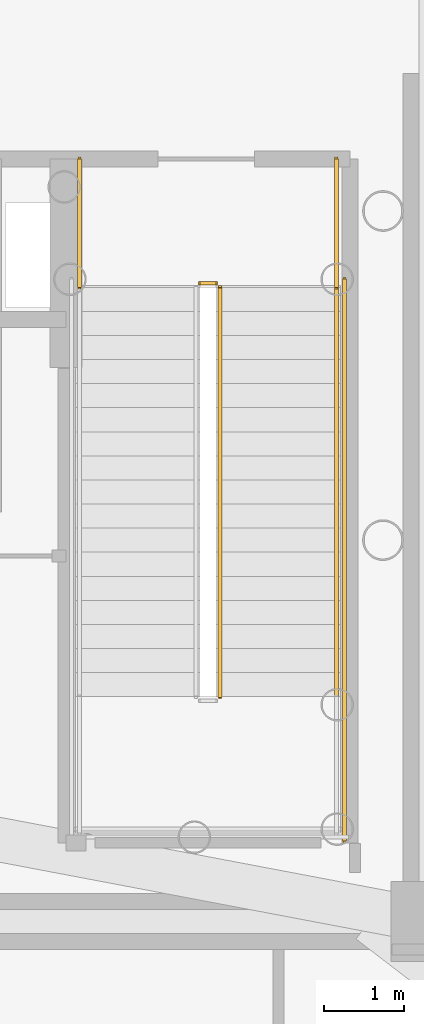
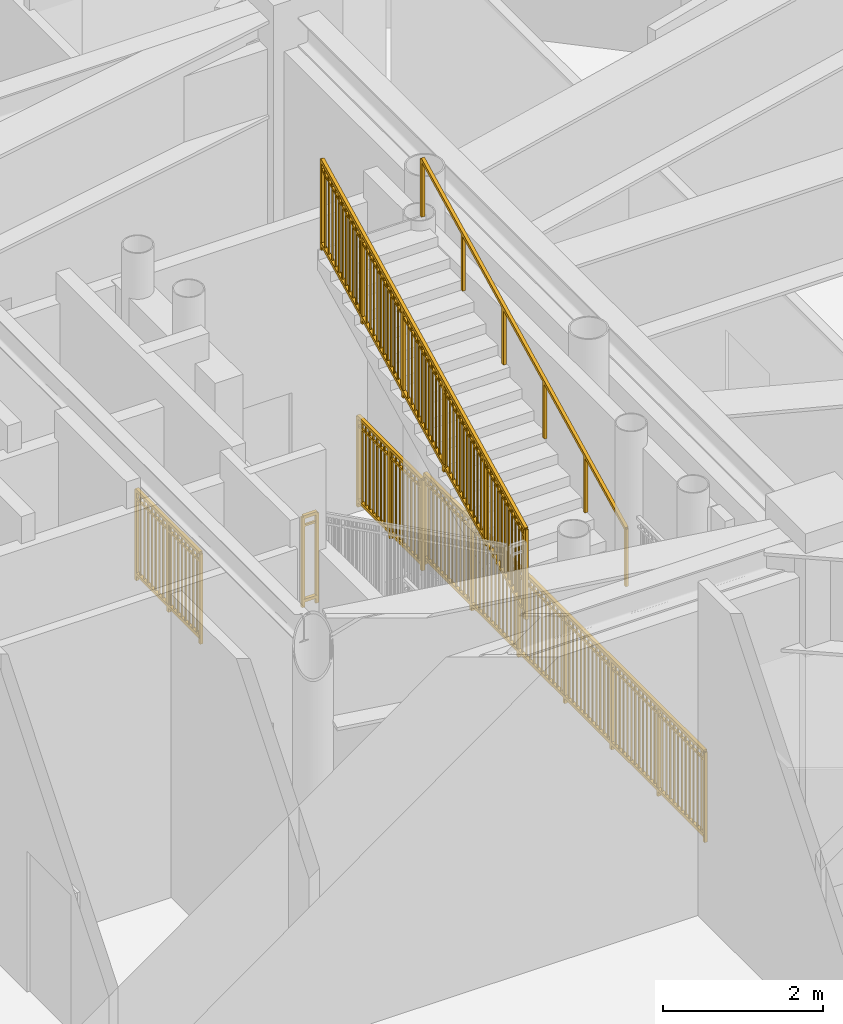
# One storey, part 13 of 14: 6 railings.
"""IFC4 building model written with IfcOpenShell, lengths in metres."""

from ifc_helpers import new_model, si_unit, direction, frame, origin, origin_2d, place, context, subcontext, project, spatial, rectangle, extrude, source, transform, mapped, material, type_object, element, save


model = new_model("IFC4")

# Units and contexts
model_context = context("Model", 3, precision=1e-05, world=origin(), true_north=direction((0.0, 1.0)))
body_context = subcontext(model_context, "Body", "Model", "MODEL_VIEW")
ifc_project = project(units=[si_unit("LENGTHUNIT", "METRE"), si_unit("AREAUNIT", "SQUARE_METRE"), si_unit("VOLUMEUNIT", "CUBIC_METRE"), si_unit("PLANEANGLEUNIT", "RADIAN"), si_unit("MASSUNIT", "GRAM", prefix="KILO")], contexts=[model_context])

# Site, building, storey
site_placement = place(None, origin())
site = spatial("IfcSite", under=ifc_project, at=site_placement, CompositionType="ELEMENT")
building_placement = place(site_placement, origin())
building = spatial("IfcBuilding", under=site, at=building_placement, Name="Linh Dai School and Residence Tower", CompositionType="ELEMENT")
storey_placement = place(building_placement, frame((0.0, 0.0, 262.800048828125)))
storey = spatial("IfcBuildingStorey", under=building, at=storey_placement, Name="L65", CompositionType="ELEMENT", Elevation=262.800048828125)

# Railings
ifc_material_1 = material(Name="Structural Steel S355JR", Category="steel")
railing_type_1 = type_object("IfcRailingType", Name="RL-ST-GUARD-1400", PredefinedType="GUARDRAIL", material=ifc_material_1)
shared_shape_1 = source(origin(), body_context, "Body", "SweptSolid", [
    extrude(rectangle(XDim=0.048095703125, YDim=0.048095703125, at=origin_2d()), frame((0.0, 0.0, 1.3759765625), z_axis=(0.0, 0.894427191, 0.4472135955), x_axis=(-1.0, 0.0, 0.0)), (0.0, 0.0, 1.0), 5.7021484375),
    extrude(rectangle(XDim=0.048095703125, YDim=0.048095703125, at=origin_2d()), frame((0.0, 0.0, 0.10009765625), z_axis=(0.0, 0.894427191, 0.4472135955), x_axis=(-1.0, 0.0, 0.0)), (0.0, 0.0, 1.0), 5.7021484375),
    extrude(rectangle(XDim=0.030029296875, YDim=0.030029296875, at=origin_2d()), frame((0.0, 0.0, 1.239990234375), z_axis=(0.0, 0.894427191, 0.4472135955), x_axis=(-1.0, 0.0, 0.0)), (0.0, 0.0, 1.0), 5.7021484375),
    extrude(rectangle(XDim=0.02001953125, YDim=0.02001953125, at=origin_2d()), frame((0.0, 0.08642578125, 0.143310546875)), (0.0, 0.0, 1.0), 1.251708984375),
    extrude(rectangle(XDim=0.02001953125, YDim=0.02001953125, at=origin_2d()), frame((0.0, 0.1728515625, 0.1865234375)), (0.0, 0.0, 1.0), 1.251708984375),
    extrude(rectangle(XDim=0.02001953125, YDim=0.02001953125, at=origin_2d()), frame((0.0, 0.25927734375, 0.229736328125)), (0.0, 0.0, 1.0), 1.251708984375),
    extrude(rectangle(XDim=0.02001953125, YDim=0.02001953125, at=origin_2d()), frame((0.0, 0.345703125, 0.27294921875)), (0.0, 0.0, 1.0), 1.251708984375),
    extrude(rectangle(XDim=0.02001953125, YDim=0.02001953125, at=origin_2d()), frame((0.0, 0.43212890625, 0.316162109375)), (0.0, 0.0, 1.0), 1.251708984375),
    extrude(rectangle(XDim=0.02001953125, YDim=0.02001953125, at=origin_2d()), frame((0.0, 0.5185546875, 0.359375)), (0.0, 0.0, 1.0), 1.251708984375),
    extrude(rectangle(XDim=0.02001953125, YDim=0.02001953125, at=origin_2d()), frame((0.0, 0.60498046875, 0.402587890625)), (0.0, 0.0, 1.0), 1.251708984375),
    extrude(rectangle(XDim=0.02001953125, YDim=0.02001953125, at=origin_2d()), frame((0.0, 0.691650390625, 0.44580078125)), (0.0, 0.0, 1.0), 1.251708984375),
    extrude(rectangle(XDim=0.02001953125, YDim=0.02001953125, at=origin_2d()), frame((0.0, 0.778076171875, 0.489013671875)), (0.0, 0.0, 1.0), 1.251708984375),
    extrude(rectangle(XDim=0.02001953125, YDim=0.02001953125, at=origin_2d()), frame((0.0, 0.864501953125, 0.5322265625)), (0.0, 0.0, 1.0), 1.251708984375),
    extrude(rectangle(XDim=0.02001953125, YDim=0.02001953125, at=origin_2d()), frame((0.0, 0.950927734375, 0.575439453125)), (0.0, 0.0, 1.0), 1.251708984375),
    extrude(rectangle(XDim=0.02001953125, YDim=0.02001953125, at=origin_2d()), frame((0.0, 1.123779296875, 0.661865234375)), (0.0, 0.0, 1.0), 1.251708984375),
    extrude(rectangle(XDim=0.02001953125, YDim=0.02001953125, at=origin_2d()), frame((0.0, 1.210205078125, 0.705078125)), (0.0, 0.0, 1.0), 1.251708984375),
    extrude(rectangle(XDim=0.02001953125, YDim=0.02001953125, at=origin_2d()), frame((0.0, 1.296630859375, 0.74853515625)), (0.0, 0.0, 1.0), 1.251708984375),
    extrude(rectangle(XDim=0.02001953125, YDim=0.02001953125, at=origin_2d()), frame((0.0, 1.383056640625, 0.791748046875)), (0.0, 0.0, 1.0), 1.251708984375),
    extrude(rectangle(XDim=0.02001953125, YDim=0.02001953125, at=origin_2d()), frame((0.0, 1.469482421875, 0.8349609375)), (0.0, 0.0, 1.0), 1.251708984375),
    extrude(rectangle(XDim=0.02001953125, YDim=0.02001953125, at=origin_2d()), frame((0.0, 1.555908203125, 0.878173828125)), (0.0, 0.0, 1.0), 1.251708984375),
    extrude(rectangle(XDim=0.02001953125, YDim=0.02001953125, at=origin_2d()), frame((0.0, 1.642333984375, 0.92138671875)), (0.0, 0.0, 1.0), 1.251708984375),
    extrude(rectangle(XDim=0.02001953125, YDim=0.02001953125, at=origin_2d()), frame((0.0, 1.728759765625, 0.964599609375)), (0.0, 0.0, 1.0), 1.251708984375),
    extrude(rectangle(XDim=0.02001953125, YDim=0.02001953125, at=origin_2d()), frame((0.0, 1.815185546875, 1.0078125)), (0.0, 0.0, 1.0), 1.251708984375),
    extrude(rectangle(XDim=0.02001953125, YDim=0.02001953125, at=origin_2d()), frame((0.0, 1.901611328125, 1.051025390625)), (0.0, 0.0, 1.0), 1.251708984375),
    extrude(rectangle(XDim=0.02001953125, YDim=0.02001953125, at=origin_2d()), frame((0.0, 1.98828125, 1.09423828125)), (0.0, 0.0, 1.0), 1.251708984375),
    extrude(rectangle(XDim=0.02001953125, YDim=0.02001953125, at=origin_2d()), frame((0.0, 2.1611328125, 1.1806640625)), (0.0, 0.0, 1.0), 1.251708984375),
    extrude(rectangle(XDim=0.02001953125, YDim=0.02001953125, at=origin_2d()), frame((0.0, 2.24755859375, 1.223876953125)), (0.0, 0.0, 1.0), 1.251708984375),
    extrude(rectangle(XDim=0.02001953125, YDim=0.02001953125, at=origin_2d()), frame((0.0, 2.333984375, 1.26708984375)), (0.0, 0.0, 1.0), 1.251708984375),
    extrude(rectangle(XDim=0.02001953125, YDim=0.02001953125, at=origin_2d()), frame((0.0, 2.42041015625, 1.310302734375)), (0.0, 0.0, 1.0), 1.251708984375),
    extrude(rectangle(XDim=0.02001953125, YDim=0.02001953125, at=origin_2d()), frame((0.0, 2.5068359375, 1.353515625)), (0.0, 0.0, 1.0), 1.251708984375),
    extrude(rectangle(XDim=0.02001953125, YDim=0.02001953125, at=origin_2d()), frame((0.0, 2.59326171875, 1.396728515625)), (0.0, 0.0, 1.0), 1.251708984375),
    extrude(rectangle(XDim=0.02001953125, YDim=0.02001953125, at=origin_2d()), frame((0.0, 2.6796875, 1.43994140625)), (0.0, 0.0, 1.0), 1.251708984375),
    extrude(rectangle(XDim=0.02001953125, YDim=0.02001953125, at=origin_2d()), frame((0.0, 2.76611328125, 1.483154296875)), (0.0, 0.0, 1.0), 1.251708984375),
    extrude(rectangle(XDim=0.02001953125, YDim=0.02001953125, at=origin_2d()), frame((0.0, 2.8525390625, 1.5263671875)), (0.0, 0.0, 1.0), 1.251708984375),
    extrude(rectangle(XDim=0.02001953125, YDim=0.02001953125, at=origin_2d()), frame((0.0, 2.93896484375, 1.569580078125)), (0.0, 0.0, 1.0), 1.251708984375),
    extrude(rectangle(XDim=0.02001953125, YDim=0.02001953125, at=origin_2d()), frame((0.0, 3.11181640625, 1.656005859375)), (0.0, 0.0, 1.0), 1.251708984375),
    extrude(rectangle(XDim=0.02001953125, YDim=0.02001953125, at=origin_2d()), frame((0.0, 3.198486328125, 1.69921875)), (0.0, 0.0, 1.0), 1.251708984375),
    extrude(rectangle(XDim=0.02001953125, YDim=0.02001953125, at=origin_2d()), frame((0.0, 3.284912109375, 1.742431640625)), (0.0, 0.0, 1.0), 1.251708984375),
    extrude(rectangle(XDim=0.02001953125, YDim=0.02001953125, at=origin_2d()), frame((0.0, 3.371337890625, 1.78564453125)), (0.0, 0.0, 1.0), 1.251708984375),
    extrude(rectangle(XDim=0.02001953125, YDim=0.02001953125, at=origin_2d()), frame((0.0, 3.457763671875, 1.828857421875)), (0.0, 0.0, 1.0), 1.251708984375),
    extrude(rectangle(XDim=0.02001953125, YDim=0.02001953125, at=origin_2d()), frame((0.0, 3.544189453125, 1.8720703125)), (0.0, 0.0, 1.0), 1.251708984375),
    extrude(rectangle(XDim=0.02001953125, YDim=0.02001953125, at=origin_2d()), frame((0.0, 3.630615234375, 1.915283203125)), (0.0, 0.0, 1.0), 1.251708984375),
    extrude(rectangle(XDim=0.02001953125, YDim=0.02001953125, at=origin_2d()), frame((0.0, 3.717041015625, 1.95849609375)), (0.0, 0.0, 1.0), 1.251708984375),
    extrude(rectangle(XDim=0.02001953125, YDim=0.02001953125, at=origin_2d()), frame((0.0, 3.803466796875, 2.001708984375)), (0.0, 0.0, 1.0), 1.251708984375),
    extrude(rectangle(XDim=0.02001953125, YDim=0.02001953125, at=origin_2d()), frame((0.0, 3.889892578125, 2.045166015625)), (0.0, 0.0, 1.0), 1.251708984375),
    extrude(rectangle(XDim=0.02001953125, YDim=0.02001953125, at=origin_2d()), frame((0.0, 3.976318359375, 2.08837890625)), (0.0, 0.0, 1.0), 1.251708984375),
    extrude(rectangle(XDim=0.02001953125, YDim=0.02001953125, at=origin_2d()), frame((0.0, 4.149169921875, 2.1748046875)), (0.0, 0.0, 1.0), 1.251708984375),
    extrude(rectangle(XDim=0.02001953125, YDim=0.02001953125, at=origin_2d()), frame((0.0, 4.235595703125, 2.218017578125)), (0.0, 0.0, 1.0), 1.251708984375),
    extrude(rectangle(XDim=0.02001953125, YDim=0.02001953125, at=origin_2d()), frame((0.0, 4.322021484375, 2.26123046875)), (0.0, 0.0, 1.0), 1.251708984375),
    extrude(rectangle(XDim=0.02001953125, YDim=0.02001953125, at=origin_2d()), frame((0.0, 4.408447265625, 2.304443359375)), (0.0, 0.0, 1.0), 1.251708984375),
    extrude(rectangle(XDim=0.02001953125, YDim=0.02001953125, at=origin_2d()), frame((0.0, 4.4951171875, 2.34765625)), (0.0, 0.0, 1.0), 1.251708984375),
    extrude(rectangle(XDim=0.02001953125, YDim=0.02001953125, at=origin_2d()), frame((0.0, 4.58154296875, 2.390869140625)), (0.0, 0.0, 1.0), 1.251708984375),
    extrude(rectangle(XDim=0.02001953125, YDim=0.02001953125, at=origin_2d()), frame((0.0, 4.66796875, 2.43408203125)), (0.0, 0.0, 1.0), 1.251708984375),
    extrude(rectangle(XDim=0.02001953125, YDim=0.02001953125, at=origin_2d()), frame((0.0, 4.75439453125, 2.477294921875)), (0.0, 0.0, 1.0), 1.251708984375),
    extrude(rectangle(XDim=0.02001953125, YDim=0.02001953125, at=origin_2d()), frame((0.0, 4.8408203125, 2.5205078125)), (0.0, 0.0, 1.0), 1.251708984375),
    extrude(rectangle(XDim=0.02001953125, YDim=0.02001953125, at=origin_2d()), frame((0.0, 4.92724609375, 2.563720703125)), (0.0, 0.0, 1.0), 1.251708984375),
    extrude(rectangle(XDim=0.02001953125, YDim=0.02001953125, at=origin_2d()), frame((0.0, 5.013671875, 2.60693359375)), (0.0, 0.0, 1.0), 1.251708984375),
    extrude(rectangle(XDim=0.0419921875, YDim=0.0419921875, at=origin_2d()), origin(), (0.0, 0.0, 1.0), 1.3759765625),
    extrude(rectangle(XDim=0.0419921875, YDim=0.0419921875, at=origin_2d()), frame((0.0, 1.02001953125, 0.510009765625)), (0.0, 0.0, 1.0), 1.3759765625),
    extrude(rectangle(XDim=0.0419921875, YDim=0.0419921875, at=origin_2d()), frame((0.0, 2.0400390625, 1.02001953125)), (0.0, 0.0, 1.0), 1.3759765625),
    extrude(rectangle(XDim=0.0419921875, YDim=0.0419921875, at=origin_2d()), frame((0.0, 3.06005859375, 1.530029296875)), (0.0, 0.0, 1.0), 1.3759765625),
    extrude(rectangle(XDim=0.0419921875, YDim=0.0419921875, at=origin_2d()), frame((0.0, 4.080078125, 2.0400390625)), (0.0, 0.0, 1.0), 1.3759765625),
    extrude(rectangle(XDim=0.0419921875, YDim=0.0419921875, at=origin_2d()), frame((0.0, 5.10009765625, 2.550048828125)), (0.0, 0.0, 1.0), 1.3759765625),
])
railing_1_placement = place(storey_placement, frame((42.820068359375, 23.14990234375, 2.849853515625)))
element("IfcRailing", 1, at=railing_1_placement, inside=storey, type_object=railing_type_1, Name="L65 ST2 stair guard 6", PredefinedType="GUARDRAIL", context=body_context, shape_type="MappedRepresentation", body=[
    mapped(shared_shape_1, transform((0.0, 0.0, 0.0), x_axis=(1.0, 0.0, 0.0), y_axis=(0.0, 1.0, 0.0), z_axis=(0.0, 0.0, 1.0), scale=1.0)),
])
ifc_material_2 = material(Name="Brushed Stainless Steel Handrail", Category="steel")
railing_type_2 = type_object("IfcRailingType", Name="RL-ST-HANDRAIL-900", PredefinedType="HANDRAIL", material=ifc_material_2)
shared_shape_2 = source(origin(), body_context, "Body", "SweptSolid", [
    extrude(rectangle(XDim=0.048095703125, YDim=0.048095703125, at=origin_2d()), frame((0.0, 0.0, 0.8759765625), z_axis=(0.0, 0.894427191, 0.4472135955), x_axis=(-1.0, 0.0, 0.0)), (0.0, 0.0, 1.0), 5.7021484375),
    extrude(rectangle(XDim=0.0419921875, YDim=0.0419921875, at=origin_2d()), origin(), (0.0, 0.0, 1.0), 0.8759765625),
    extrude(rectangle(XDim=0.0419921875, YDim=0.0419921875, at=origin_2d()), frame((0.0, 1.02001953125, 0.510009765625)), (0.0, 0.0, 1.0), 0.8759765625),
    extrude(rectangle(XDim=0.0419921875, YDim=0.0419921875, at=origin_2d()), frame((0.0, 2.0400390625, 1.02001953125)), (0.0, 0.0, 1.0), 0.8759765625),
    extrude(rectangle(XDim=0.0419921875, YDim=0.0419921875, at=origin_2d()), frame((0.0, 3.06005859375, 1.530029296875)), (0.0, 0.0, 1.0), 0.8759765625),
    extrude(rectangle(XDim=0.0419921875, YDim=0.0419921875, at=origin_2d()), frame((0.0, 4.080078125, 2.0400390625)), (0.0, 0.0, 1.0), 0.8759765625),
    extrude(rectangle(XDim=0.0419921875, YDim=0.0419921875, at=origin_2d()), frame((0.0, 5.10009765625, 2.550048828125)), (0.0, 0.0, 1.0), 0.8759765625),
])
railing_2_placement = place(storey_placement, frame((44.27001953125, 23.14990234375, 2.849853515625)))
element("IfcRailing", 2, at=railing_2_placement, inside=storey, type_object=railing_type_2, Name="L65 ST2 stair handrail 2", PredefinedType="HANDRAIL", context=body_context, shape_type="MappedRepresentation", body=[
    mapped(shared_shape_2, transform((0.0, 0.0, 0.0), x_axis=(1.0, 0.0, 0.0), y_axis=(0.0, 1.0, 0.0), z_axis=(0.0, 0.0, 1.0), scale=1.0)),
])
shared_shape_3 = source(origin(), body_context, "Body", "SweptSolid", [
    extrude(rectangle(XDim=0.048095703125, YDim=0.048095703125, at=origin_2d()), frame((0.0, 0.0, 1.3759765625), z_axis=(1.0, 0.0, 0.0), x_axis=(0.0, 1.0, 0.0)), (0.0, 0.0, 1.0), 0.199951171875),
    extrude(rectangle(XDim=0.048095703125, YDim=0.048095703125, at=origin_2d()), frame((0.0, 0.0, 0.10009765625), z_axis=(1.0, 0.0, 0.0), x_axis=(0.0, 1.0, 0.0)), (0.0, 0.0, 1.0), 0.199951171875),
    extrude(rectangle(XDim=0.030029296875, YDim=0.030029296875, at=origin_2d()), frame((0.0, 0.0, 1.239990234375), z_axis=(1.0, 0.0, 0.0), x_axis=(0.0, 1.0, 0.0)), (0.0, 0.0, 1.0), 0.199951171875),
    extrude(rectangle(XDim=0.0419921875, YDim=0.0419921875, at=origin_2d()), origin(), (0.0, 0.0, 1.0), 1.3759765625),
    extrude(rectangle(XDim=0.0419921875, YDim=0.0419921875, at=origin_2d()), frame((0.199951171875, 0.0, 0.0)), (0.0, 0.0, 1.0), 1.3759765625),
])
railing_3_placement = place(storey_placement, frame((42.570068359375, 28.300048828125, 0.0)))
element("IfcRailing", 3, at=railing_3_placement, inside=storey, type_object=railing_type_1, Name="L65 ST2 stair guard 7", PredefinedType="GUARDRAIL", context=body_context, shape_type="MappedRepresentation", body=[
    mapped(shared_shape_3, transform((0.0, 0.0, 0.0), x_axis=(1.0, 0.0, 0.0), y_axis=(0.0, 1.0, 0.0), z_axis=(0.0, 0.0, 1.0), scale=1.0)),
])
shared_shape_4 = source(origin(), body_context, "Body", "SweptSolid", [
    extrude(rectangle(XDim=0.048095703125, YDim=0.048095703125, at=origin_2d()), frame((0.0, 0.0, 1.3759765625), z_axis=(0.0, -1.0, 0.0), x_axis=(1.0, 0.0, 0.0)), (0.0, 0.0, 1.0), 1.60009765625),
    extrude(rectangle(XDim=0.048095703125, YDim=0.048095703125, at=origin_2d()), frame((0.0, 0.0, 0.10009765625), z_axis=(0.0, -1.0, 0.0), x_axis=(1.0, 0.0, 0.0)), (0.0, 0.0, 1.0), 1.60009765625),
    extrude(rectangle(XDim=0.030029296875, YDim=0.030029296875, at=origin_2d()), frame((0.0, 0.0, 1.239990234375), z_axis=(0.0, -1.0, 0.0), x_axis=(1.0, 0.0, 0.0)), (0.0, 0.0, 1.0), 1.60009765625),
    extrude(rectangle(XDim=0.02001953125, YDim=0.02001953125, at=origin_2d()), frame((0.0, -0.09423828125, 0.10009765625)), (0.0, 0.0, 1.0), 1.251708984375),
    extrude(rectangle(XDim=0.02001953125, YDim=0.02001953125, at=origin_2d()), frame((0.0, -0.188232421875, 0.10009765625)), (0.0, 0.0, 1.0), 1.251708984375),
    extrude(rectangle(XDim=0.02001953125, YDim=0.02001953125, at=origin_2d()), frame((0.0, -0.282470703125, 0.10009765625)), (0.0, 0.0, 1.0), 1.251708984375),
    extrude(rectangle(XDim=0.02001953125, YDim=0.02001953125, at=origin_2d()), frame((0.0, -0.37646484375, 0.10009765625)), (0.0, 0.0, 1.0), 1.251708984375),
    extrude(rectangle(XDim=0.02001953125, YDim=0.02001953125, at=origin_2d()), frame((0.0, -0.470703125, 0.10009765625)), (0.0, 0.0, 1.0), 1.251708984375),
    extrude(rectangle(XDim=0.02001953125, YDim=0.02001953125, at=origin_2d()), frame((0.0, -0.564697265625, 0.10009765625)), (0.0, 0.0, 1.0), 1.251708984375),
    extrude(rectangle(XDim=0.02001953125, YDim=0.02001953125, at=origin_2d()), frame((0.0, -0.658935546875, 0.10009765625)), (0.0, 0.0, 1.0), 1.251708984375),
    extrude(rectangle(XDim=0.02001953125, YDim=0.02001953125, at=origin_2d()), frame((0.0, -0.7529296875, 0.10009765625)), (0.0, 0.0, 1.0), 1.251708984375),
    extrude(rectangle(XDim=0.02001953125, YDim=0.02001953125, at=origin_2d()), frame((0.0, -0.84716796875, 0.10009765625)), (0.0, 0.0, 1.0), 1.251708984375),
    extrude(rectangle(XDim=0.02001953125, YDim=0.02001953125, at=origin_2d()), frame((0.0, -0.941162109375, 0.10009765625)), (0.0, 0.0, 1.0), 1.251708984375),
    extrude(rectangle(XDim=0.02001953125, YDim=0.02001953125, at=origin_2d()), frame((0.0, -1.035400390625, 0.10009765625)), (0.0, 0.0, 1.0), 1.251708984375),
    extrude(rectangle(XDim=0.02001953125, YDim=0.02001953125, at=origin_2d()), frame((0.0, -1.12939453125, 0.10009765625)), (0.0, 0.0, 1.0), 1.251708984375),
    extrude(rectangle(XDim=0.02001953125, YDim=0.02001953125, at=origin_2d()), frame((0.0, -1.2236328125, 0.10009765625)), (0.0, 0.0, 1.0), 1.251708984375),
    extrude(rectangle(XDim=0.02001953125, YDim=0.02001953125, at=origin_2d()), frame((0.0, -1.317626953125, 0.10009765625)), (0.0, 0.0, 1.0), 1.251708984375),
    extrude(rectangle(XDim=0.02001953125, YDim=0.02001953125, at=origin_2d()), frame((0.0, -1.411865234375, 0.10009765625)), (0.0, 0.0, 1.0), 1.251708984375),
    extrude(rectangle(XDim=0.02001953125, YDim=0.02001953125, at=origin_2d()), frame((0.0, -1.505859375, 0.10009765625)), (0.0, 0.0, 1.0), 1.251708984375),
    extrude(rectangle(XDim=0.0419921875, YDim=0.0419921875, at=origin_2d()), origin(), (0.0, 0.0, 1.0), 1.3759765625),
    extrude(rectangle(XDim=0.0419921875, YDim=0.0419921875, at=origin_2d()), frame((0.0, -0.800048828125, 0.0)), (0.0, 0.0, 1.0), 1.3759765625),
    extrude(rectangle(XDim=0.0419921875, YDim=0.0419921875, at=origin_2d()), frame((0.0, -1.60009765625, 0.0)), (0.0, 0.0, 1.0), 1.3759765625),
])
for number, where, name in (
    (4, (41.070068359375, 29.85009765625, 0.0), "L65 ST2 stair guard 8"),
    (5, (44.27001953125, 29.85009765625, 0.0), "L65 ST2 stair guard 9"),
):
    element("IfcRailing", number, at=place(storey_placement, frame(where)), inside=storey, type_object=railing_type_1, Name=name, PredefinedType="GUARDRAIL", context=body_context, shape_type="MappedRepresentation", body=[
        mapped(shared_shape_4, transform((0.0, 0.0, 0.0), x_axis=(1.0, 0.0, 0.0), y_axis=(0.0, 1.0, 0.0), z_axis=(0.0, 0.0, 1.0), scale=1.0)),
    ])
shared_shape_5 = source(origin(), body_context, "Body", "SweptSolid", [
    extrude(rectangle(XDim=0.048095703125, YDim=0.048095703125, at=origin_2d()), frame((0.0, 0.0, 1.3759765625), z_axis=(0.0, -1.0, 0.0), x_axis=(1.0, 0.0, 0.0)), (0.0, 0.0, 1.0), 7.0),
    extrude(rectangle(XDim=0.048095703125, YDim=0.048095703125, at=origin_2d()), frame((0.0, 0.0, 0.10009765625), z_axis=(0.0, -1.0, 0.0), x_axis=(1.0, 0.0, 0.0)), (0.0, 0.0, 1.0), 7.0),
    extrude(rectangle(XDim=0.030029296875, YDim=0.030029296875, at=origin_2d()), frame((0.0, 0.0, 1.239990234375), z_axis=(0.0, -1.0, 0.0), x_axis=(1.0, 0.0, 0.0)), (0.0, 0.0, 1.0), 7.0),
    extrude(rectangle(XDim=0.02001953125, YDim=0.02001953125, at=origin_2d()), frame((0.0, -0.09716796875, 0.10009765625)), (0.0, 0.0, 1.0), 1.251708984375),
    extrude(rectangle(XDim=0.02001953125, YDim=0.02001953125, at=origin_2d()), frame((0.0, -0.1943359375, 0.10009765625)), (0.0, 0.0, 1.0), 1.251708984375),
    extrude(rectangle(XDim=0.02001953125, YDim=0.02001953125, at=origin_2d()), frame((0.0, -0.291748046875, 0.10009765625)), (0.0, 0.0, 1.0), 1.251708984375),
    extrude(rectangle(XDim=0.02001953125, YDim=0.02001953125, at=origin_2d()), frame((0.0, -0.388916015625, 0.10009765625)), (0.0, 0.0, 1.0), 1.251708984375),
    extrude(rectangle(XDim=0.02001953125, YDim=0.02001953125, at=origin_2d()), frame((0.0, -0.486083984375, 0.10009765625)), (0.0, 0.0, 1.0), 1.251708984375),
    extrude(rectangle(XDim=0.02001953125, YDim=0.02001953125, at=origin_2d()), frame((0.0, -0.583251953125, 0.10009765625)), (0.0, 0.0, 1.0), 1.251708984375),
    extrude(rectangle(XDim=0.02001953125, YDim=0.02001953125, at=origin_2d()), frame((0.0, -0.6806640625, 0.10009765625)), (0.0, 0.0, 1.0), 1.251708984375),
    extrude(rectangle(XDim=0.02001953125, YDim=0.02001953125, at=origin_2d()), frame((0.0, -0.77783203125, 0.10009765625)), (0.0, 0.0, 1.0), 1.251708984375),
    extrude(rectangle(XDim=0.02001953125, YDim=0.02001953125, at=origin_2d()), frame((0.0, -0.875, 0.10009765625)), (0.0, 0.0, 1.0), 1.251708984375),
    extrude(rectangle(XDim=0.02001953125, YDim=0.02001953125, at=origin_2d()), frame((0.0, -0.97216796875, 0.10009765625)), (0.0, 0.0, 1.0), 1.251708984375),
    extrude(rectangle(XDim=0.02001953125, YDim=0.02001953125, at=origin_2d()), frame((0.0, -1.0693359375, 0.10009765625)), (0.0, 0.0, 1.0), 1.251708984375),
    extrude(rectangle(XDim=0.02001953125, YDim=0.02001953125, at=origin_2d()), frame((0.0, -1.263916015625, 0.10009765625)), (0.0, 0.0, 1.0), 1.251708984375),
    extrude(rectangle(XDim=0.02001953125, YDim=0.02001953125, at=origin_2d()), frame((0.0, -1.361083984375, 0.10009765625)), (0.0, 0.0, 1.0), 1.251708984375),
    extrude(rectangle(XDim=0.02001953125, YDim=0.02001953125, at=origin_2d()), frame((0.0, -1.458251953125, 0.10009765625)), (0.0, 0.0, 1.0), 1.251708984375),
    extrude(rectangle(XDim=0.02001953125, YDim=0.02001953125, at=origin_2d()), frame((0.0, -1.5556640625, 0.10009765625)), (0.0, 0.0, 1.0), 1.251708984375),
    extrude(rectangle(XDim=0.02001953125, YDim=0.02001953125, at=origin_2d()), frame((0.0, -1.65283203125, 0.10009765625)), (0.0, 0.0, 1.0), 1.251708984375),
    extrude(rectangle(XDim=0.02001953125, YDim=0.02001953125, at=origin_2d()), frame((0.0, -1.75, 0.10009765625)), (0.0, 0.0, 1.0), 1.251708984375),
    extrude(rectangle(XDim=0.02001953125, YDim=0.02001953125, at=origin_2d()), frame((0.0, -1.84716796875, 0.10009765625)), (0.0, 0.0, 1.0), 1.251708984375),
    extrude(rectangle(XDim=0.02001953125, YDim=0.02001953125, at=origin_2d()), frame((0.0, -1.9443359375, 0.10009765625)), (0.0, 0.0, 1.0), 1.251708984375),
    extrude(rectangle(XDim=0.02001953125, YDim=0.02001953125, at=origin_2d()), frame((0.0, -2.041748046875, 0.10009765625)), (0.0, 0.0, 1.0), 1.251708984375),
    extrude(rectangle(XDim=0.02001953125, YDim=0.02001953125, at=origin_2d()), frame((0.0, -2.138916015625, 0.10009765625)), (0.0, 0.0, 1.0), 1.251708984375),
    extrude(rectangle(XDim=0.02001953125, YDim=0.02001953125, at=origin_2d()), frame((0.0, -2.236083984375, 0.10009765625)), (0.0, 0.0, 1.0), 1.251708984375),
    extrude(rectangle(XDim=0.02001953125, YDim=0.02001953125, at=origin_2d()), frame((0.0, -2.4306640625, 0.10009765625)), (0.0, 0.0, 1.0), 1.251708984375),
    extrude(rectangle(XDim=0.02001953125, YDim=0.02001953125, at=origin_2d()), frame((0.0, -2.52783203125, 0.10009765625)), (0.0, 0.0, 1.0), 1.251708984375),
    extrude(rectangle(XDim=0.02001953125, YDim=0.02001953125, at=origin_2d()), frame((0.0, -2.625, 0.10009765625)), (0.0, 0.0, 1.0), 1.251708984375),
    extrude(rectangle(XDim=0.02001953125, YDim=0.02001953125, at=origin_2d()), frame((0.0, -2.72216796875, 0.10009765625)), (0.0, 0.0, 1.0), 1.251708984375),
    extrude(rectangle(XDim=0.02001953125, YDim=0.02001953125, at=origin_2d()), frame((0.0, -2.8193359375, 0.10009765625)), (0.0, 0.0, 1.0), 1.251708984375),
    extrude(rectangle(XDim=0.02001953125, YDim=0.02001953125, at=origin_2d()), frame((0.0, -2.916748046875, 0.10009765625)), (0.0, 0.0, 1.0), 1.251708984375),
    extrude(rectangle(XDim=0.02001953125, YDim=0.02001953125, at=origin_2d()), frame((0.0, -3.013916015625, 0.10009765625)), (0.0, 0.0, 1.0), 1.251708984375),
    extrude(rectangle(XDim=0.02001953125, YDim=0.02001953125, at=origin_2d()), frame((0.0, -3.111083984375, 0.10009765625)), (0.0, 0.0, 1.0), 1.251708984375),
    extrude(rectangle(XDim=0.02001953125, YDim=0.02001953125, at=origin_2d()), frame((0.0, -3.208251953125, 0.10009765625)), (0.0, 0.0, 1.0), 1.251708984375),
    extrude(rectangle(XDim=0.02001953125, YDim=0.02001953125, at=origin_2d()), frame((0.0, -3.3056640625, 0.10009765625)), (0.0, 0.0, 1.0), 1.251708984375),
    extrude(rectangle(XDim=0.02001953125, YDim=0.02001953125, at=origin_2d()), frame((0.0, -3.40283203125, 0.10009765625)), (0.0, 0.0, 1.0), 1.251708984375),
    extrude(rectangle(XDim=0.02001953125, YDim=0.02001953125, at=origin_2d()), frame((0.0, -3.59716796875, 0.10009765625)), (0.0, 0.0, 1.0), 1.251708984375),
    extrude(rectangle(XDim=0.02001953125, YDim=0.02001953125, at=origin_2d()), frame((0.0, -3.6943359375, 0.10009765625)), (0.0, 0.0, 1.0), 1.251708984375),
    extrude(rectangle(XDim=0.02001953125, YDim=0.02001953125, at=origin_2d()), frame((0.0, -3.791748046875, 0.10009765625)), (0.0, 0.0, 1.0), 1.251708984375),
    extrude(rectangle(XDim=0.02001953125, YDim=0.02001953125, at=origin_2d()), frame((0.0, -3.888916015625, 0.10009765625)), (0.0, 0.0, 1.0), 1.251708984375),
    extrude(rectangle(XDim=0.02001953125, YDim=0.02001953125, at=origin_2d()), frame((0.0, -3.986083984375, 0.10009765625)), (0.0, 0.0, 1.0), 1.251708984375),
    extrude(rectangle(XDim=0.02001953125, YDim=0.02001953125, at=origin_2d()), frame((0.0, -4.083251953125, 0.10009765625)), (0.0, 0.0, 1.0), 1.251708984375),
    extrude(rectangle(XDim=0.02001953125, YDim=0.02001953125, at=origin_2d()), frame((0.0, -4.1806640625, 0.10009765625)), (0.0, 0.0, 1.0), 1.251708984375),
    extrude(rectangle(XDim=0.02001953125, YDim=0.02001953125, at=origin_2d()), frame((0.0, -4.27783203125, 0.10009765625)), (0.0, 0.0, 1.0), 1.251708984375),
    extrude(rectangle(XDim=0.02001953125, YDim=0.02001953125, at=origin_2d()), frame((0.0, -4.375, 0.10009765625)), (0.0, 0.0, 1.0), 1.251708984375),
    extrude(rectangle(XDim=0.02001953125, YDim=0.02001953125, at=origin_2d()), frame((0.0, -4.47216796875, 0.10009765625)), (0.0, 0.0, 1.0), 1.251708984375),
    extrude(rectangle(XDim=0.02001953125, YDim=0.02001953125, at=origin_2d()), frame((0.0, -4.5693359375, 0.10009765625)), (0.0, 0.0, 1.0), 1.251708984375),
    extrude(rectangle(XDim=0.02001953125, YDim=0.02001953125, at=origin_2d()), frame((0.0, -4.763916015625, 0.10009765625)), (0.0, 0.0, 1.0), 1.251708984375),
    extrude(rectangle(XDim=0.02001953125, YDim=0.02001953125, at=origin_2d()), frame((0.0, -4.861083984375, 0.10009765625)), (0.0, 0.0, 1.0), 1.251708984375),
    extrude(rectangle(XDim=0.02001953125, YDim=0.02001953125, at=origin_2d()), frame((0.0, -4.958251953125, 0.10009765625)), (0.0, 0.0, 1.0), 1.251708984375),
    extrude(rectangle(XDim=0.02001953125, YDim=0.02001953125, at=origin_2d()), frame((0.0, -5.0556640625, 0.10009765625)), (0.0, 0.0, 1.0), 1.251708984375),
    extrude(rectangle(XDim=0.02001953125, YDim=0.02001953125, at=origin_2d()), frame((0.0, -5.15283203125, 0.10009765625)), (0.0, 0.0, 1.0), 1.251708984375),
    extrude(rectangle(XDim=0.02001953125, YDim=0.02001953125, at=origin_2d()), frame((0.0, -5.25, 0.10009765625)), (0.0, 0.0, 1.0), 1.251708984375),
    extrude(rectangle(XDim=0.02001953125, YDim=0.02001953125, at=origin_2d()), frame((0.0, -5.34716796875, 0.10009765625)), (0.0, 0.0, 1.0), 1.251708984375),
    extrude(rectangle(XDim=0.02001953125, YDim=0.02001953125, at=origin_2d()), frame((0.0, -5.4443359375, 0.10009765625)), (0.0, 0.0, 1.0), 1.251708984375),
    extrude(rectangle(XDim=0.02001953125, YDim=0.02001953125, at=origin_2d()), frame((0.0, -5.541748046875, 0.10009765625)), (0.0, 0.0, 1.0), 1.251708984375),
    extrude(rectangle(XDim=0.02001953125, YDim=0.02001953125, at=origin_2d()), frame((0.0, -5.638916015625, 0.10009765625)), (0.0, 0.0, 1.0), 1.251708984375),
    extrude(rectangle(XDim=0.02001953125, YDim=0.02001953125, at=origin_2d()), frame((0.0, -5.736083984375, 0.10009765625)), (0.0, 0.0, 1.0), 1.251708984375),
    extrude(rectangle(XDim=0.02001953125, YDim=0.02001953125, at=origin_2d()), frame((0.0, -5.9306640625, 0.10009765625)), (0.0, 0.0, 1.0), 1.251708984375),
    extrude(rectangle(XDim=0.02001953125, YDim=0.02001953125, at=origin_2d()), frame((0.0, -6.02783203125, 0.10009765625)), (0.0, 0.0, 1.0), 1.251708984375),
    extrude(rectangle(XDim=0.02001953125, YDim=0.02001953125, at=origin_2d()), frame((0.0, -6.125, 0.10009765625)), (0.0, 0.0, 1.0), 1.251708984375),
    extrude(rectangle(XDim=0.02001953125, YDim=0.02001953125, at=origin_2d()), frame((0.0, -6.22216796875, 0.10009765625)), (0.0, 0.0, 1.0), 1.251708984375),
    extrude(rectangle(XDim=0.02001953125, YDim=0.02001953125, at=origin_2d()), frame((0.0, -6.3193359375, 0.10009765625)), (0.0, 0.0, 1.0), 1.251708984375),
    extrude(rectangle(XDim=0.02001953125, YDim=0.02001953125, at=origin_2d()), frame((0.0, -6.416748046875, 0.10009765625)), (0.0, 0.0, 1.0), 1.251708984375),
    extrude(rectangle(XDim=0.02001953125, YDim=0.02001953125, at=origin_2d()), frame((0.0, -6.513916015625, 0.10009765625)), (0.0, 0.0, 1.0), 1.251708984375),
    extrude(rectangle(XDim=0.02001953125, YDim=0.02001953125, at=origin_2d()), frame((0.0, -6.611083984375, 0.10009765625)), (0.0, 0.0, 1.0), 1.251708984375),
    extrude(rectangle(XDim=0.02001953125, YDim=0.02001953125, at=origin_2d()), frame((0.0, -6.708251953125, 0.10009765625)), (0.0, 0.0, 1.0), 1.251708984375),
    extrude(rectangle(XDim=0.02001953125, YDim=0.02001953125, at=origin_2d()), frame((0.0, -6.8056640625, 0.10009765625)), (0.0, 0.0, 1.0), 1.251708984375),
    extrude(rectangle(XDim=0.02001953125, YDim=0.02001953125, at=origin_2d()), frame((0.0, -6.90283203125, 0.10009765625)), (0.0, 0.0, 1.0), 1.251708984375),
    extrude(rectangle(XDim=0.0419921875, YDim=0.0419921875, at=origin_2d()), origin(), (0.0, 0.0, 1.0), 1.3759765625),
    extrude(rectangle(XDim=0.0419921875, YDim=0.0419921875, at=origin_2d()), frame((0.0, -1.166748046875, 0.0)), (0.0, 0.0, 1.0), 1.3759765625),
    extrude(rectangle(XDim=0.0419921875, YDim=0.0419921875, at=origin_2d()), frame((0.0, -2.333251953125, 0.0)), (0.0, 0.0, 1.0), 1.3759765625),
    extrude(rectangle(XDim=0.0419921875, YDim=0.0419921875, at=origin_2d()), frame((0.0, -3.5, 0.0)), (0.0, 0.0, 1.0), 1.3759765625),
    extrude(rectangle(XDim=0.0419921875, YDim=0.0419921875, at=origin_2d()), frame((0.0, -4.666748046875, 0.0)), (0.0, 0.0, 1.0), 1.3759765625),
    extrude(rectangle(XDim=0.0419921875, YDim=0.0419921875, at=origin_2d()), frame((0.0, -5.833251953125, 0.0)), (0.0, 0.0, 1.0), 1.3759765625),
    extrude(rectangle(XDim=0.0419921875, YDim=0.0419921875, at=origin_2d()), frame((0.0, -7.0, 0.0)), (0.0, 0.0, 1.0), 1.3759765625),
])
railing_4_placement = place(storey_placement, frame((44.3701171875, 28.35009765625, 0.0)))
element("IfcRailing", 6, at=railing_4_placement, inside=storey, type_object=railing_type_1, Name="L65 ST2 stair guard 11", PredefinedType="GUARDRAIL", context=body_context, shape_type="MappedRepresentation", body=[
    mapped(shared_shape_5, transform((0.0, 0.0, 0.0), x_axis=(1.0, 0.0, 0.0), y_axis=(0.0, 1.0, 0.0), z_axis=(0.0, 0.0, 1.0), scale=1.0)),
])

save(model, "model.ifc")
